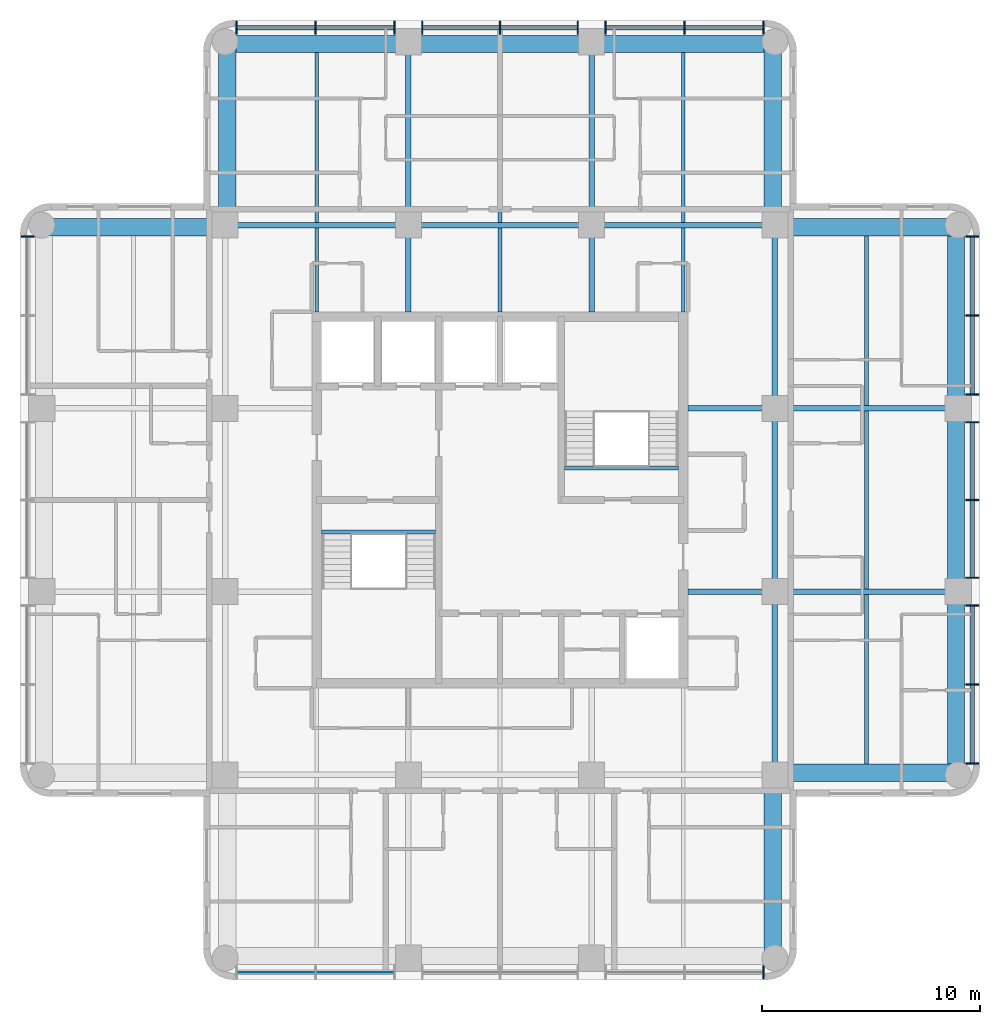
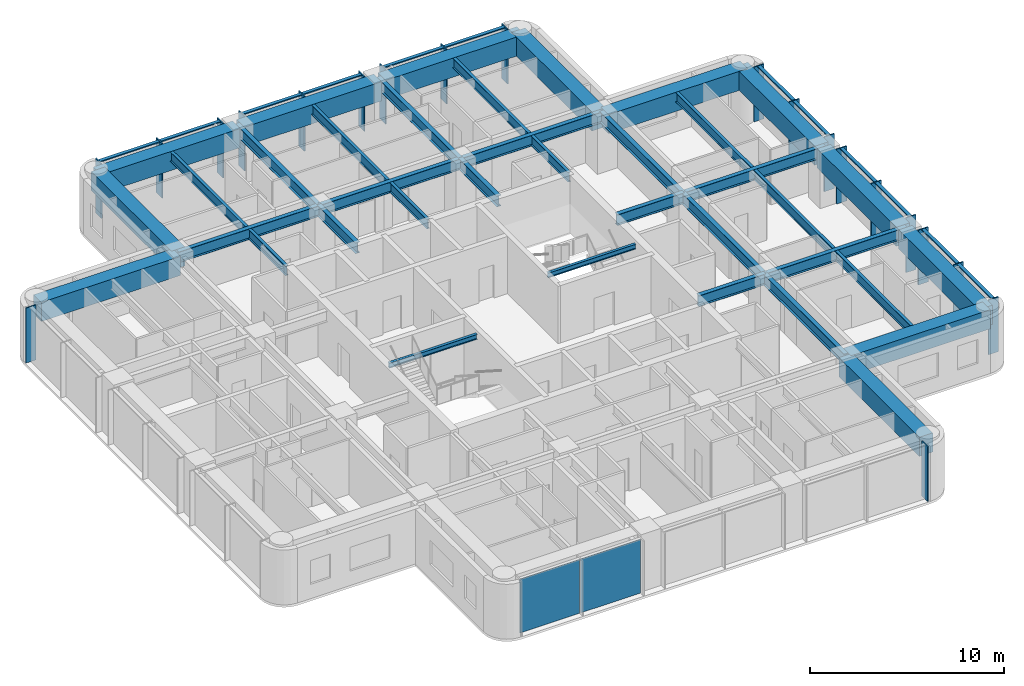
# One storey, part 2 of 10: 37 beams, 32 members, 2 plates, 4 elements without a shape of their own.
"""IFC4 building model written with IfcOpenShell, lengths in metres."""

import ifcopenshell
import ifcopenshell.guid

model = None  # the IFC model being written
_history = None  # IfcOwnerHistory: only IFC2X3 demands one
_inside = {}  # id of a spatial element -> (the spatial element, [elements in it])
_under = {}  # id of a project, library or spatial element -> (it, [spatial elements below it])
_declared = {}  # id of a project -> (the project, [libraries it declares])
_typed = {}  # id of a type object -> (the type object, [elements of that type])
_made_of = {}  # id of a material, layer set ... -> (it, [elements and type objects made of it])


def new_model(schema):
    """Start an empty IFC model of exactly this schema.

    Asked for "IFC4X3", IfcOpenShell would pick the latest addendum, in which some entities
    have other attributes; the version numbers below select the first issue.
    IFC2X3 requires an IfcOwnerHistory on every rooted entity: one is made here for all.
    """
    global model, _history
    if schema == "IFC4X3":
        model = ifcopenshell.file(schema_version=(4, 3, 0, 0))
    else:
        model = ifcopenshell.file(schema=schema)
    _inside.clear()
    _under.clear()
    _declared.clear()
    _typed.clear()
    _made_of.clear()
    _history = None
    if model.schema == "IFC2X3":
        org = make("IfcOrganization", Name="unknown")
        user = make(
            "IfcPersonAndOrganization",
            ThePerson=make("IfcPerson", FamilyName="unknown"),
            TheOrganization=org,
        )
        app = make(
            "IfcApplication",
            ApplicationDeveloper=org,
            Version="unknown",
            ApplicationFullName="unknown",
            ApplicationIdentifier="unknown",
        )
        _history = make(
            "IfcOwnerHistory",
            OwningUser=user,
            OwningApplication=app,
            ChangeAction="ADDED",
            CreationDate=0,
        )
    return model


def make(cls, **values):
    """One entity of the class cls with the attributes given. An attribute that is None is left unset."""
    return model.create_entity(
        cls, **{name: value for name, value in values.items() if value is not None}
    )


def rooted(cls, **values):
    """An entity with a GlobalId (a new one), such as an element, a storey or a relation."""
    return make(cls, GlobalId=ifcopenshell.guid.new(), OwnerHistory=_history, **values)


def si_unit(unit_type, name, prefix=None):
    """IfcSIUnit, for example si_unit("LENGTHUNIT", "METRE", prefix="MILLI")."""
    return make("IfcSIUnit", UnitType=unit_type, Prefix=prefix, Name=name)


def assignment(units):
    """IfcUnitAssignment: the units of a project."""
    return None if units is None else make("IfcUnitAssignment", Units=units)


def point(xyz):
    """IfcCartesianPoint."""
    return None if xyz is None else make("IfcCartesianPoint", Coordinates=xyz)


def direction(xyz):
    """IfcDirection."""
    return None if xyz is None else make("IfcDirection", DirectionRatios=xyz)


def frame(location, z_axis=None, x_axis=None):
    """IfcAxis2Placement3D, a coordinate frame: its origin and axes. An axis left out is left unset."""
    return make(
        "IfcAxis2Placement3D",
        Location=point(location),
        Axis=direction(z_axis),
        RefDirection=direction(x_axis),
    )


def frame_2d(location, x_axis=None):
    """IfcAxis2Placement2D, a coordinate frame in the plane: its origin and x axis."""
    return make(
        "IfcAxis2Placement2D", Location=point(location), RefDirection=direction(x_axis)
    )


def origin():
    """The frame at (0, 0, 0) with its axes left unset."""
    return frame((0.0, 0.0, 0.0))


def origin_2d():
    """The frame at (0, 0) in the plane with its x axis left unset."""
    return frame_2d((0.0, 0.0))


def place(relative_to, where):
    """IfcLocalPlacement: puts the frame where relative to a parent placement (None: the world)."""
    return make(
        "IfcLocalPlacement", PlacementRelTo=relative_to, RelativePlacement=where
    )


def context(
    kind, dimensions, precision=None, world=None, true_north=None, identifier=None
):
    """IfcGeometricRepresentationContext, for example the 3D "Model" context."""
    return make(
        "IfcGeometricRepresentationContext",
        ContextIdentifier=identifier,
        ContextType=kind,
        CoordinateSpaceDimension=dimensions,
        Precision=precision,
        WorldCoordinateSystem=world,
        TrueNorth=true_north,
    )


def subcontext(parent, identifier, kind, view, scale=None):
    """IfcGeometricRepresentationSubContext, for example "Body" below "Model"."""
    return make(
        "IfcGeometricRepresentationSubContext",
        ContextIdentifier=identifier,
        ContextType=kind,
        ParentContext=parent,
        TargetScale=scale,
        TargetView=view,
    )


def project(units=None, contexts=None):
    """IfcProject with its units and contexts."""
    return rooted(
        "IfcProject",
        Name="project",
        RepresentationContexts=contexts,
        UnitsInContext=assignment(units),
    )


def spatial(cls, under=None, at=None, **own):
    """A site, building, storey or space (cls), placed at a placement, below another one or the project."""
    s = rooted(cls, ObjectPlacement=at, **own)
    if under is not None:
        _under.setdefault(under.id(), (under, []))[1].append(s)
    return s


def profile(cls, at=None, kind="AREA", **sizes):
    """A parametric profile (cls). Its sizes go by their IFC names, for example OverallWidth=200.0."""
    return make(cls, ProfileType=kind, Position=at, **sizes)


def rectangle(**sizes):
    """IfcRectangleProfileDef."""
    return profile("IfcRectangleProfileDef", **sizes)


def i_section(**sizes):
    """IfcIShapeProfileDef."""
    return profile("IfcIShapeProfileDef", **sizes)


def extrude(swept, where, along, depth):
    """IfcExtrudedAreaSolid: the profile swept, set in the frame where, extruded along a direction by depth."""
    return make(
        "IfcExtrudedAreaSolid",
        SweptArea=swept,
        Position=where,
        ExtrudedDirection=direction(along),
        Depth=depth,
    )


def shape(context_of_items, identifier, shape_type, items):
    """IfcShapeRepresentation: the items that make up one representation, for example the "Body"."""
    return make(
        "IfcShapeRepresentation",
        ContextOfItems=context_of_items,
        RepresentationIdentifier=identifier,
        RepresentationType=shape_type,
        Items=items,
    )


def material(Name=None, Category=None):
    """IfcMaterial."""
    return make("IfcMaterial", Name=Name, Category=Category)


def layer(
    of_material, thickness, ventilated=None, Name=None, Category=None, Priority=None
):
    """IfcMaterialLayer: one layer of a wall or slab, of a material (None: an air gap)."""
    return make(
        "IfcMaterialLayer",
        Material=of_material,
        LayerThickness=thickness,
        IsVentilated=ventilated,
        Name=Name,
        Category=Category,
        Priority=Priority,
    )


def layer_set(layers, Name=None):
    """IfcMaterialLayerSet."""
    return make("IfcMaterialLayerSet", MaterialLayers=layers, LayerSetName=Name)


def material_profile(
    of_material, cross_section, Name=None, Category=None, Priority=None
):
    """IfcMaterialProfile: a cross section and its material."""
    return make(
        "IfcMaterialProfile",
        Name=Name,
        Material=of_material,
        Profile=cross_section,
        Priority=Priority,
        Category=Category,
    )


def profile_set(profiles, Name=None, composite=None):
    """IfcMaterialProfileSet."""
    return make(
        "IfcMaterialProfileSet",
        Name=Name,
        MaterialProfiles=profiles,
        CompositeProfile=composite,
    )


def made_of(thing, what):
    """Note that an element or type object is made of a material, layer set ...; save() writes the relation."""
    if what is not None:
        _made_of.setdefault(what.id(), (what, []))[1].append(thing)
    return thing


def type_object(cls, material=None, **own):
    """A type object (cls), such as IfcWallType, which elements share."""
    return made_of(rooted(cls, **own), material)


def element(
    cls,
    number,
    at=None,
    inside=None,
    cuts=None,
    type_object=None,
    material=None,
    context=None,
    identifier="Body",
    shape_type=None,
    held_by="IfcProductDefinitionShape",
    body=None,
    shapes=None,
    **own,
):
    """One element of the class cls, such as IfcWall. Its Tag is "e" and its number.

    at: its placement. inside: the storey or other place that contains it. cuts: it is an
    opening in that element (IfcRelVoidsElement). A single representation is given by context,
    identifier, shape_type and body (its items); several are given by shapes. held_by: the class
    of the entity that holds the representations. save() writes the other relations.
    """
    e = rooted(cls, Tag="e%d" % number, ObjectPlacement=at, **own)
    if body is not None:
        shapes = [shape(context, identifier, shape_type, body)]
    if shapes is not None:
        e.Representation = make(held_by, Representations=shapes)
    if inside is not None:
        _inside.setdefault(inside.id(), (inside, []))[1].append(e)
    if cuts is not None:
        rooted(
            "IfcRelVoidsElement", RelatingBuildingElement=cuts, RelatedOpeningElement=e
        )
    if type_object is not None:
        _typed.setdefault(type_object.id(), (type_object, []))[1].append(e)
    return made_of(e, material)


def aggregate(whole, parts):
    """IfcRelAggregates: a whole, such as a stair, and the parts it consists of."""
    return rooted("IfcRelAggregates", RelatingObject=whole, RelatedObjects=parts)


def save(model, path):
    """Write the relations noted so far, then the file.

    IfcRelAggregates (storeys below a building ...), IfcRelContainedInSpatialStructure (elements
    in a storey), IfcRelDefinesByType, IfcRelAssociatesMaterial and IfcRelDeclares: one each for
    every whole, place, type object, material and project.
    """
    for whole, parts in _under.values():
        aggregate(whole, parts)
    for where, things in _inside.values():
        rooted(
            "IfcRelContainedInSpatialStructure",
            RelatedElements=things,
            RelatingStructure=where,
        )
    for kind, things in _typed.values():
        rooted("IfcRelDefinesByType", RelatedObjects=things, RelatingType=kind)
    for what, things in _made_of.values():
        rooted("IfcRelAssociatesMaterial", RelatedObjects=things, RelatingMaterial=what)
    for by, libraries in _declared.values():
        rooted("IfcRelDeclares", RelatingContext=by, RelatedDefinitions=libraries)
    model.write(path)


model = new_model("IFC4")

# Units and contexts
model_context = context("Model", 3, precision=1e-05, world=origin(), true_north=direction((0.0, 1.0)))
body_context = subcontext(model_context, "Body", "Model", "MODEL_VIEW")
ifc_project = project(units=[si_unit("LENGTHUNIT", "METRE"), si_unit("AREAUNIT", "SQUARE_METRE"), si_unit("VOLUMEUNIT", "CUBIC_METRE"), si_unit("PLANEANGLEUNIT", "RADIAN"), si_unit("MASSUNIT", "GRAM", prefix="KILO")], contexts=[model_context])

# Site, building, storey
site_placement = place(None, origin())
site = spatial("IfcSite", under=ifc_project, at=site_placement, CompositionType="ELEMENT")
building_placement = place(site_placement, origin())
building = spatial("IfcBuilding", under=site, at=building_placement, Name="Torre Alcanfor", CompositionType="ELEMENT")
storey_placement = place(building_placement, frame((0.0, 0.0, 286.5)))
storey = spatial("IfcBuildingStorey", under=building, at=storey_placement, Name="L75", CompositionType="ELEMENT", Elevation=286.5)

# Curtain wall, member
ifc_material_1 = material(Name="Aluminium and glass", Category="aluminium")
curtain_wall_type = type_object("IfcCurtainWallType", Name="CW-A unitised apartment glazing with vertical FIN", PredefinedType="NOTDEFINED", material=ifc_material_1)
curtain_wall_1_placement = place(storey_placement, origin())
curtain_wall_1 = element("IfcCurtainWall", 1, at=curtain_wall_1_placement, inside=storey, type_object=curtain_wall_type, Name="Curtain wall CW-A L75 2", PredefinedType="NOTDEFINED")
ifc_material_2 = material(Name="Bronze anodised aluminium", Category="aluminium")
ifc_material_profile_1 = material_profile(ifc_material_2, rectangle(XDim=0.60009765625, YDim=0.06494140625, at=origin_2d()), Name="CW-A mullion 65x600")
ifc_profile_set_1 = profile_set([ifc_material_profile_1], Name="Bronze anodised aluminium")
member_type_1 = type_object("IfcMemberType", Name="CW-A mullion with vertical FIN 65x600", PredefinedType="MULLION", material=ifc_profile_set_1)
member_1_placement = place(storey_placement, frame((7.75, 41.47412109375, 0.0), z_axis=(0.0, 0.0, 1.0), x_axis=(1.0, 0.0, 0.0)))
member_1 = element("IfcMember", 2, at=member_1_placement, type_object=member_type_1, Name="CW-A mullion 1.1", PredefinedType="MULLION", context=body_context, shape_type="SweptSolid", body=[
    extrude(rectangle(XDim=0.60009765625, YDim=0.06494140625, at=origin_2d()), origin(), (0.0, 0.0, 1.0), 3.449951171875),
])
aggregate(curtain_wall_1, [member_1])

curtain_wall_2_placement = place(storey_placement, origin())
curtain_wall_2 = element("IfcCurtainWall", 3, at=curtain_wall_2_placement, inside=storey, type_object=curtain_wall_type, Name="Curtain wall CW-A L75 5", PredefinedType="NOTDEFINED")
member_2_placement = place(storey_placement, frame((41.47412109375, 7.75, 0.0), z_axis=(0.0, 0.0, 1.0), x_axis=(0.0, 1.0, 0.0)))
member_2 = element("IfcMember", 4, at=member_2_placement, type_object=member_type_1, Name="CW-A mullion 3.3", PredefinedType="MULLION", context=body_context, shape_type="SweptSolid", body=[
    extrude(rectangle(XDim=0.60009765625, YDim=0.06494140625, at=origin_2d()), origin(), (0.0, 0.0, 1.0), 3.449951171875),
])

# Curtain wall, members
curtain_wall_3_placement = place(storey_placement, origin())
curtain_wall_3 = element("IfcCurtainWall", 5, at=curtain_wall_3_placement, inside=storey, type_object=curtain_wall_type, Name="Curtain wall CW-A L75 8", PredefinedType="NOTDEFINED")
member_3_placement = place(storey_placement, frame((51.050048828125, 17.325927734375, 0.0), z_axis=(0.0, 0.0, 1.0), x_axis=(-1.0, 0.0, 0.0)))
member_3 = element("IfcMember", 6, at=member_3_placement, type_object=member_type_1, Name="CW-A mullion 1.1", PredefinedType="MULLION", context=body_context, shape_type="SweptSolid", body=[
    extrude(rectangle(XDim=0.60009765625, YDim=0.06494140625, at=origin_2d()), origin(), (0.0, 0.0, 1.0), 3.449951171875),
])
member_4_placement = place(storey_placement, frame((51.050048828125, 20.9443359375, 0.0), z_axis=(0.0, 0.0, 1.0), x_axis=(-1.0, 0.0, 0.0)))
member_4 = element("IfcMember", 7, at=member_4_placement, type_object=member_type_1, Name="CW-A mullion 1.2", PredefinedType="MULLION", context=body_context, shape_type="SweptSolid", body=[
    extrude(rectangle(XDim=0.60009765625, YDim=0.06494140625, at=origin_2d()), origin(), (0.0, 0.0, 1.0), 3.449951171875),
])
member_5_placement = place(storey_placement, frame((51.050048828125, 24.5625, 0.0), z_axis=(0.0, 0.0, 1.0), x_axis=(-1.0, 0.0, 0.0)))
member_5 = element("IfcMember", 8, at=member_5_placement, type_object=member_type_1, Name="CW-A mullion 1.3", PredefinedType="MULLION", context=body_context, shape_type="SweptSolid", body=[
    extrude(rectangle(XDim=0.60009765625, YDim=0.06494140625, at=origin_2d()), origin(), (0.0, 0.0, 1.0), 3.449951171875),
])
member_6_placement = place(storey_placement, frame((51.050048828125, 25.83740234375, 0.0), z_axis=(0.0, 0.0, 1.0), x_axis=(-1.0, 0.0, 0.0)))
member_6 = element("IfcMember", 9, at=member_6_placement, type_object=member_type_1, Name="CW-A mullion 2.1", PredefinedType="MULLION", context=body_context, shape_type="SweptSolid", body=[
    extrude(rectangle(XDim=0.60009765625, YDim=0.06494140625, at=origin_2d()), origin(), (0.0, 0.0, 1.0), 3.449951171875),
])
member_7_placement = place(storey_placement, frame((51.050048828125, 29.39990234375, 0.0), z_axis=(0.0, 0.0, 1.0), x_axis=(-1.0, 0.0, 0.0)))
member_7 = element("IfcMember", 10, at=member_7_placement, type_object=member_type_1, Name="CW-A mullion 2.2", PredefinedType="MULLION", context=body_context, shape_type="SweptSolid", body=[
    extrude(rectangle(XDim=0.60009765625, YDim=0.06494140625, at=origin_2d()), origin(), (0.0, 0.0, 1.0), 3.449951171875),
])
member_8_placement = place(storey_placement, frame((51.050048828125, 32.96240234375, 0.0), z_axis=(0.0, 0.0, 1.0), x_axis=(-1.0, 0.0, 0.0)))
member_8 = element("IfcMember", 11, at=member_8_placement, type_object=member_type_1, Name="CW-A mullion 2.3", PredefinedType="MULLION", context=body_context, shape_type="SweptSolid", body=[
    extrude(rectangle(XDim=0.60009765625, YDim=0.06494140625, at=origin_2d()), origin(), (0.0, 0.0, 1.0), 3.449951171875),
])
member_9_placement = place(storey_placement, frame((51.050048828125, 34.237548828125, 0.0), z_axis=(0.0, 0.0, 1.0), x_axis=(-1.0, 0.0, 0.0)))
member_9 = element("IfcMember", 12, at=member_9_placement, type_object=member_type_1, Name="CW-A mullion 3.1", PredefinedType="MULLION", context=body_context, shape_type="SweptSolid", body=[
    extrude(rectangle(XDim=0.60009765625, YDim=0.06494140625, at=origin_2d()), origin(), (0.0, 0.0, 1.0), 3.449951171875),
])
member_10_placement = place(storey_placement, frame((51.050048828125, 37.855712890625, 0.0), z_axis=(0.0, 0.0, 1.0), x_axis=(-1.0, 0.0, 0.0)))
member_10 = element("IfcMember", 13, at=member_10_placement, type_object=member_type_1, Name="CW-A mullion 3.2", PredefinedType="MULLION", context=body_context, shape_type="SweptSolid", body=[
    extrude(rectangle(XDim=0.60009765625, YDim=0.06494140625, at=origin_2d()), origin(), (0.0, 0.0, 1.0), 3.449951171875),
])
member_11_placement = place(storey_placement, frame((51.050048828125, 41.47412109375, 0.0), z_axis=(0.0, 0.0, 1.0), x_axis=(-1.0, 0.0, 0.0)))
member_11 = element("IfcMember", 14, at=member_11_placement, type_object=member_type_1, Name="CW-A mullion 3.3", PredefinedType="MULLION", context=body_context, shape_type="SweptSolid", body=[
    extrude(rectangle(XDim=0.60009765625, YDim=0.06494140625, at=origin_2d()), origin(), (0.0, 0.0, 1.0), 3.449951171875),
])

curtain_wall_4_placement = place(storey_placement, origin())
curtain_wall_4 = element("IfcCurtainWall", 15, at=curtain_wall_4_placement, inside=storey, type_object=curtain_wall_type, Name="Curtain wall CW-A L75 11", PredefinedType="NOTDEFINED")
member_12_placement = place(storey_placement, frame((41.47412109375, 51.050048828125, 0.0), z_axis=(0.0, 0.0, 1.0), x_axis=(0.0, -1.0, 0.0)))
member_12 = element("IfcMember", 16, at=member_12_placement, type_object=member_type_1, Name="CW-A mullion 1.1", PredefinedType="MULLION", context=body_context, shape_type="SweptSolid", body=[
    extrude(rectangle(XDim=0.60009765625, YDim=0.06494140625, at=origin_2d()), origin(), (0.0, 0.0, 1.0), 3.449951171875),
])
member_13_placement = place(storey_placement, frame((37.855712890625, 51.050048828125, 0.0), z_axis=(0.0, 0.0, 1.0), x_axis=(0.0, -1.0, 0.0)))
member_13 = element("IfcMember", 17, at=member_13_placement, type_object=member_type_1, Name="CW-A mullion 1.2", PredefinedType="MULLION", context=body_context, shape_type="SweptSolid", body=[
    extrude(rectangle(XDim=0.60009765625, YDim=0.06494140625, at=origin_2d()), origin(), (0.0, 0.0, 1.0), 3.449951171875),
])
member_14_placement = place(storey_placement, frame((34.237548828125, 51.050048828125, 0.0), z_axis=(0.0, 0.0, 1.0), x_axis=(0.0, -1.0, 0.0)))
member_14 = element("IfcMember", 18, at=member_14_placement, type_object=member_type_1, Name="CW-A mullion 1.3", PredefinedType="MULLION", context=body_context, shape_type="SweptSolid", body=[
    extrude(rectangle(XDim=0.60009765625, YDim=0.06494140625, at=origin_2d()), origin(), (0.0, 0.0, 1.0), 3.449951171875),
])
member_15_placement = place(storey_placement, frame((32.96240234375, 51.050048828125, 0.0), z_axis=(0.0, 0.0, 1.0), x_axis=(0.0, -1.0, 0.0)))
member_15 = element("IfcMember", 19, at=member_15_placement, type_object=member_type_1, Name="CW-A mullion 2.1", PredefinedType="MULLION", context=body_context, shape_type="SweptSolid", body=[
    extrude(rectangle(XDim=0.60009765625, YDim=0.06494140625, at=origin_2d()), origin(), (0.0, 0.0, 1.0), 3.449951171875),
])
member_16_placement = place(storey_placement, frame((29.39990234375, 51.050048828125, 0.0), z_axis=(0.0, 0.0, 1.0), x_axis=(0.0, -1.0, 0.0)))
member_16 = element("IfcMember", 20, at=member_16_placement, type_object=member_type_1, Name="CW-A mullion 2.2", PredefinedType="MULLION", context=body_context, shape_type="SweptSolid", body=[
    extrude(rectangle(XDim=0.60009765625, YDim=0.06494140625, at=origin_2d()), origin(), (0.0, 0.0, 1.0), 3.449951171875),
])
member_17_placement = place(storey_placement, frame((25.83740234375, 51.050048828125, 0.0), z_axis=(0.0, 0.0, 1.0), x_axis=(0.0, -1.0, 0.0)))
member_17 = element("IfcMember", 21, at=member_17_placement, type_object=member_type_1, Name="CW-A mullion 2.3", PredefinedType="MULLION", context=body_context, shape_type="SweptSolid", body=[
    extrude(rectangle(XDim=0.60009765625, YDim=0.06494140625, at=origin_2d()), origin(), (0.0, 0.0, 1.0), 3.449951171875),
])
member_18_placement = place(storey_placement, frame((24.5625, 51.050048828125, 0.0), z_axis=(0.0, 0.0, 1.0), x_axis=(0.0, -1.0, 0.0)))
member_18 = element("IfcMember", 22, at=member_18_placement, type_object=member_type_1, Name="CW-A mullion 3.1", PredefinedType="MULLION", context=body_context, shape_type="SweptSolid", body=[
    extrude(rectangle(XDim=0.60009765625, YDim=0.06494140625, at=origin_2d()), origin(), (0.0, 0.0, 1.0), 3.449951171875),
])
member_19_placement = place(storey_placement, frame((20.9443359375, 51.050048828125, 0.0), z_axis=(0.0, 0.0, 1.0), x_axis=(0.0, -1.0, 0.0)))
member_19 = element("IfcMember", 23, at=member_19_placement, type_object=member_type_1, Name="CW-A mullion 3.2", PredefinedType="MULLION", context=body_context, shape_type="SweptSolid", body=[
    extrude(rectangle(XDim=0.60009765625, YDim=0.06494140625, at=origin_2d()), origin(), (0.0, 0.0, 1.0), 3.449951171875),
])
member_20_placement = place(storey_placement, frame((17.325927734375, 51.050048828125, 0.0), z_axis=(0.0, 0.0, 1.0), x_axis=(0.0, -1.0, 0.0)))
member_20 = element("IfcMember", 24, at=member_20_placement, type_object=member_type_1, Name="CW-A mullion 3.3", PredefinedType="MULLION", context=body_context, shape_type="SweptSolid", body=[
    extrude(rectangle(XDim=0.60009765625, YDim=0.06494140625, at=origin_2d()), origin(), (0.0, 0.0, 1.0), 3.449951171875),
])

# Member
ifc_material_3 = material(Name="Extruded aluminium", Category="aluminium")
ifc_material_profile_2 = material_profile(ifc_material_3, rectangle(XDim=0.199951171875, YDim=0.06494140625, at=origin_2d()), Name="CW-A transom 200x65")
ifc_profile_set_2 = profile_set([ifc_material_profile_2], Name="Extruded aluminium")
member_type_2 = type_object("IfcMemberType", Name="CW-A transom 65x200", PredefinedType="USERDEFINED", material=ifc_profile_set_2)
member_21_placement = place(storey_placement, frame((51.050048828125, 17.3583984375, 3.41748046875), z_axis=(0.0, 1.0, 0.0), x_axis=(-1.0, 0.0, 0.0)))
member_21 = element("IfcMember", 25, at=member_21_placement, type_object=member_type_2, Name="CW-A transom 1.1.2", ObjectType="TRANSOM", PredefinedType="USERDEFINED", context=body_context, shape_type="SweptSolid", body=[
    extrude(rectangle(XDim=0.199951171875, YDim=0.06494140625, at=origin_2d()), origin(), (0.0, 0.0, 1.0), 3.553466796875),
])

member_22_placement = place(storey_placement, frame((51.050048828125, 20.976806640625, 3.41748046875), z_axis=(0.0, 1.0, 0.0), x_axis=(-1.0, 0.0, 0.0)))
member_22 = element("IfcMember", 26, at=member_22_placement, type_object=member_type_2, Name="CW-A transom 1.2.2", ObjectType="TRANSOM", PredefinedType="USERDEFINED", context=body_context, shape_type="SweptSolid", body=[
    extrude(rectangle(XDim=0.199951171875, YDim=0.06494140625, at=origin_2d()), origin(), (0.0, 0.0, 1.0), 3.55322265625),
])

member_23_placement = place(storey_placement, frame((51.050048828125, 25.8701171875, 3.41748046875), z_axis=(0.0, 1.0, 0.0), x_axis=(-1.0, 0.0, 0.0)))
member_23 = element("IfcMember", 27, at=member_23_placement, type_object=member_type_2, Name="CW-A transom 2.1.2", ObjectType="TRANSOM", PredefinedType="USERDEFINED", context=body_context, shape_type="SweptSolid", body=[
    extrude(rectangle(XDim=0.199951171875, YDim=0.06494140625, at=origin_2d()), origin(), (0.0, 0.0, 1.0), 3.497314453125),
])

member_24_placement = place(storey_placement, frame((51.050048828125, 29.4326171875, 3.41748046875), z_axis=(0.0, 1.0, 0.0), x_axis=(-1.0, 0.0, 0.0)))
member_24 = element("IfcMember", 28, at=member_24_placement, type_object=member_type_2, Name="CW-A transom 2.2.2", ObjectType="TRANSOM", PredefinedType="USERDEFINED", context=body_context, shape_type="SweptSolid", body=[
    extrude(rectangle(XDim=0.199951171875, YDim=0.06494140625, at=origin_2d()), origin(), (0.0, 0.0, 1.0), 3.497314453125),
])

member_25_placement = place(storey_placement, frame((51.050048828125, 34.27001953125, 3.41748046875), z_axis=(0.0, 1.0, 0.0), x_axis=(-1.0, 0.0, 0.0)))
member_25 = element("IfcMember", 29, at=member_25_placement, type_object=member_type_2, Name="CW-A transom 3.1.2", ObjectType="TRANSOM", PredefinedType="USERDEFINED", context=body_context, shape_type="SweptSolid", body=[
    extrude(rectangle(XDim=0.199951171875, YDim=0.06494140625, at=origin_2d()), origin(), (0.0, 0.0, 1.0), 3.55322265625),
])

member_26_placement = place(storey_placement, frame((51.050048828125, 37.88818359375, 3.41748046875), z_axis=(0.0, 1.0, 0.0), x_axis=(-1.0, 0.0, 0.0)))
member_26 = element("IfcMember", 30, at=member_26_placement, type_object=member_type_2, Name="CW-A transom 3.2.2", ObjectType="TRANSOM", PredefinedType="USERDEFINED", context=body_context, shape_type="SweptSolid", body=[
    extrude(rectangle(XDim=0.199951171875, YDim=0.06494140625, at=origin_2d()), origin(), (0.0, 0.0, 1.0), 3.55322265625),
])

aggregate(curtain_wall_3, [member_3, member_4, member_5, member_21, member_22, member_6, member_7, member_8, member_23, member_24, member_9, member_10, member_11, member_25, member_26])

member_27_placement = place(storey_placement, frame((41.44140625, 51.050048828125, 3.41748046875), z_axis=(-1.0, 0.0, 0.0), x_axis=(0.0, -1.0, 0.0)))
member_27 = element("IfcMember", 31, at=member_27_placement, type_object=member_type_2, Name="CW-A transom 1.1.2", ObjectType="TRANSOM", PredefinedType="USERDEFINED", context=body_context, shape_type="SweptSolid", body=[
    extrude(rectangle(XDim=0.199951171875, YDim=0.06494140625, at=origin_2d()), origin(), (0.0, 0.0, 1.0), 3.55322265625),
])

member_28_placement = place(storey_placement, frame((37.8232421875, 51.050048828125, 3.41748046875), z_axis=(-1.0, 0.0, 0.0), x_axis=(0.0, -1.0, 0.0)))
member_28 = element("IfcMember", 32, at=member_28_placement, type_object=member_type_2, Name="CW-A transom 1.2.2", ObjectType="TRANSOM", PredefinedType="USERDEFINED", context=body_context, shape_type="SweptSolid", body=[
    extrude(rectangle(XDim=0.199951171875, YDim=0.06494140625, at=origin_2d()), origin(), (0.0, 0.0, 1.0), 3.55322265625),
])

member_29_placement = place(storey_placement, frame((32.929931640625, 51.050048828125, 3.41748046875), z_axis=(-1.0, 0.0, 0.0), x_axis=(0.0, -1.0, 0.0)))
member_29 = element("IfcMember", 33, at=member_29_placement, type_object=member_type_2, Name="CW-A transom 2.1.2", ObjectType="TRANSOM", PredefinedType="USERDEFINED", context=body_context, shape_type="SweptSolid", body=[
    extrude(rectangle(XDim=0.199951171875, YDim=0.06494140625, at=origin_2d()), origin(), (0.0, 0.0, 1.0), 3.497314453125),
])

member_30_placement = place(storey_placement, frame((29.367431640625, 51.050048828125, 3.41748046875), z_axis=(-1.0, 0.0, 0.0), x_axis=(0.0, -1.0, 0.0)))
member_30 = element("IfcMember", 34, at=member_30_placement, type_object=member_type_2, Name="CW-A transom 2.2.2", ObjectType="TRANSOM", PredefinedType="USERDEFINED", context=body_context, shape_type="SweptSolid", body=[
    extrude(rectangle(XDim=0.199951171875, YDim=0.06494140625, at=origin_2d()), origin(), (0.0, 0.0, 1.0), 3.497314453125),
])

member_31_placement = place(storey_placement, frame((24.530029296875, 51.050048828125, 3.41748046875), z_axis=(-1.0, 0.0, 0.0), x_axis=(0.0, -1.0, 0.0)))
member_31 = element("IfcMember", 35, at=member_31_placement, type_object=member_type_2, Name="CW-A transom 3.1.2", ObjectType="TRANSOM", PredefinedType="USERDEFINED", context=body_context, shape_type="SweptSolid", body=[
    extrude(rectangle(XDim=0.199951171875, YDim=0.06494140625, at=origin_2d()), origin(), (0.0, 0.0, 1.0), 3.55322265625),
])

member_32_placement = place(storey_placement, frame((20.911865234375, 51.050048828125, 3.41748046875), z_axis=(-1.0, 0.0, 0.0), x_axis=(0.0, -1.0, 0.0)))
member_32 = element("IfcMember", 36, at=member_32_placement, type_object=member_type_2, Name="CW-A transom 3.2.2", ObjectType="TRANSOM", PredefinedType="USERDEFINED", context=body_context, shape_type="SweptSolid", body=[
    extrude(rectangle(XDim=0.199951171875, YDim=0.06494140625, at=origin_2d()), origin(), (0.0, 0.0, 1.0), 3.553466796875),
])

aggregate(curtain_wall_4, [member_12, member_13, member_14, member_27, member_28, member_15, member_16, member_17, member_29, member_30, member_18, member_19, member_20, member_31, member_32])

# Beams
ifc_material_4 = material(Name="Steel ASTM A992 Grade 50", Category="steel")
ifc_material_profile_3 = material_profile(ifc_material_4, i_section(OverallWidth=0.25390625, OverallDepth=0.683349609375, WebThickness=0.012451171875, FlangeThickness=0.01904296875, at=origin_2d()), Name="W27x94")
ifc_profile_set_3 = profile_set([ifc_material_profile_3], Name="Steel ASTM A992 Grade 50")
beam_type_1 = type_object("IfcBeamType", Name="Girder W27x94", PredefinedType="BEAM", material=ifc_profile_set_3)
for number, where, z_axis, x_axis, name in (
    (37, (42.0, 25.199951171875, 3.1083984375), (1.0, 0.0, 0.0), (0.0, 1.0, 0.0), "Beam 6F-7F under L76"),
    (38, (42.0, 33.60009765625, 3.1083984375), (1.0, 0.0, 0.0), (0.0, 1.0, 0.0), "Beam 6G-7G under L76"),
    (39, (16.800048828125, 42.0, 3.1083984375), (1.0, 0.0, 0.0), (0.0, 1.0, 0.0), "Beam 3H-4H under L76"),
):
    element("IfcBeam", number, at=place(storey_placement, frame(where, z_axis=z_axis, x_axis=x_axis)), inside=storey, type_object=beam_type_1, Name=name, PredefinedType="BEAM", context=body_context, shape_type="SweptSolid", body=[
        extrude(i_section(OverallWidth=0.25390625, OverallDepth=0.683349609375, WebThickness=0.012451171875, FlangeThickness=0.01904296875, at=origin_2d()), origin(), (0.0, 0.0, 1.0), 8.39990234375),
    ])
beam_1_placement = place(storey_placement, frame((25.199951171875, 42.0, 3.1083984375), z_axis=(1.0, 0.0, 0.0), x_axis=(0.0, 1.0, 0.0)))
element("IfcBeam", 40, at=beam_1_placement, inside=storey, type_object=beam_type_1, Name="Beam 4H-5H under L76", PredefinedType="BEAM", context=body_context, shape_type="SweptSolid", body=[
    extrude(i_section(OverallWidth=0.25390625, OverallDepth=0.683349609375, WebThickness=0.012451171875, FlangeThickness=0.01904296875, at=origin_2d()), origin(), (0.0, 0.0, 1.0), 8.400146484375),
])
for number, where, z_axis, x_axis, name in (
    (41, (33.60009765625, 42.0, 3.1083984375), (1.0, 0.0, 0.0), (0.0, 1.0, 0.0), "Beam 5H-6H under L76"),
    (42, (25.199951171875, 42.0, 3.1083984375), (0.0, 1.0, 0.0), (-1.0, 0.0, 0.0), "Beam 4H-4J under L76"),
    (43, (33.60009765625, 42.0, 3.1083984375), (0.0, 1.0, 0.0), (-1.0, 0.0, 0.0), "Beam 5H-5J under L76"),
    (44, (42.0, 16.800048828125, 3.1083984375), (0.0, 1.0, 0.0), (-1.0, 0.0, 0.0), "Beam 6E-6F under L76"),
):
    element("IfcBeam", number, at=place(storey_placement, frame(where, z_axis=z_axis, x_axis=x_axis)), inside=storey, type_object=beam_type_1, Name=name, PredefinedType="BEAM", context=body_context, shape_type="SweptSolid", body=[
        extrude(i_section(OverallWidth=0.25390625, OverallDepth=0.683349609375, WebThickness=0.012451171875, FlangeThickness=0.01904296875, at=origin_2d()), origin(), (0.0, 0.0, 1.0), 8.39990234375),
    ])
beam_2_placement = place(storey_placement, frame((42.0, 25.199951171875, 3.1083984375), z_axis=(0.0, 1.0, 0.0), x_axis=(-1.0, 0.0, 0.0)))
element("IfcBeam", 45, at=beam_2_placement, inside=storey, type_object=beam_type_1, Name="Beam 6F-6G under L76", PredefinedType="BEAM", context=body_context, shape_type="SweptSolid", body=[
    extrude(i_section(OverallWidth=0.25390625, OverallDepth=0.683349609375, WebThickness=0.012451171875, FlangeThickness=0.01904296875, at=origin_2d()), origin(), (0.0, 0.0, 1.0), 8.400146484375),
])
beam_3_placement = place(storey_placement, frame((42.0, 33.60009765625, 3.1083984375), z_axis=(0.0, 1.0, 0.0), x_axis=(-1.0, 0.0, 0.0)))
element("IfcBeam", 46, at=beam_3_placement, inside=storey, type_object=beam_type_1, Name="Beam 6G-6H under L76", PredefinedType="BEAM", context=body_context, shape_type="SweptSolid", body=[
    extrude(i_section(OverallWidth=0.25390625, OverallDepth=0.683349609375, WebThickness=0.012451171875, FlangeThickness=0.01904296875, at=origin_2d()), origin(), (0.0, 0.0, 1.0), 8.39990234375),
])
ifc_material_5 = material(Name="Steel ASTM A992 Grade 50", Category="steel")
ifc_material_profile_4 = material_profile(ifc_material_5, i_section(OverallWidth=0.25390625, OverallDepth=0.683349609375, WebThickness=0.012451171875, FlangeThickness=0.01904296875, at=origin_2d()), Name="W27x94")
ifc_profile_set_4 = profile_set([ifc_material_profile_4], Name="Steel ASTM A992 Grade 50")
beam_type_2 = type_object("IfcBeamType", Name="Girder, part bay W27x94", PredefinedType="BEAM", material=ifc_profile_set_4)
for number, where, z_axis, x_axis, name in (
    (47, (25.199951171875, 42.0, 3.1083984375), (0.0, -1.0, 0.0), (1.0, 0.0, 0.0), "Beam 4H-438_025 under L76"),
    (48, (33.60009765625, 42.0, 3.1083984375), (0.0, -1.0, 0.0), (1.0, 0.0, 0.0), "Beam 5H-538_025 under L76"),
    (49, (42.0, 25.199951171875, 3.1083984375), (-1.0, 0.0, 0.0), (0.0, -1.0, 0.0), "Beam 6F-38_025F under L76"),
    (50, (42.0, 33.60009765625, 3.1083984375), (-1.0, 0.0, 0.0), (0.0, -1.0, 0.0), "Beam 6G-38_025G under L76"),
):
    element("IfcBeam", number, at=place(storey_placement, frame(where, z_axis=z_axis, x_axis=x_axis)), inside=storey, type_object=beam_type_2, Name=name, PredefinedType="BEAM", context=body_context, shape_type="SweptSolid", body=[
        extrude(i_section(OverallWidth=0.25390625, OverallDepth=0.683349609375, WebThickness=0.012451171875, FlangeThickness=0.01904296875, at=origin_2d()), origin(), (0.0, 0.0, 1.0), 3.97509765625),
    ])
ifc_material_6 = material(Name="Concrete f'c 70 MPa", Category="concrete")
ifc_material_profile_5 = material_profile(ifc_material_6, rectangle(XDim=0.800048828125, YDim=1.199951171875, at=origin_2d()), Name="800x1200")
ifc_profile_set_5 = profile_set([ifc_material_profile_5], Name="Concrete f'c 70 MPa")
beam_type_3 = type_object("IfcBeamType", Name="RC perimeter beam 800x1200", PredefinedType="BEAM", material=ifc_profile_set_5)
beam_4_placement = place(storey_placement, frame((42.126953125, 16.89990234375, 2.85009765625), z_axis=(1.0, 0.0, 0.0), x_axis=(0.0, 1.0, 0.0)))
element("IfcBeam", 51, at=beam_4_placement, inside=storey, type_object=beam_type_3, Name="Beam 6E-7E under L76", PredefinedType="BEAM", context=body_context, shape_type="SweptSolid", body=[
    extrude(rectangle(XDim=0.800048828125, YDim=1.199951171875, at=origin_2d()), origin(), (0.0, 0.0, 1.0), 8.27294921875),
])
beam_5_placement = place(storey_placement, frame((8.39990234375, 41.89990234375, 2.85009765625), z_axis=(1.0, 0.0, 0.0), x_axis=(0.0, 1.0, 0.0)))
element("IfcBeam", 52, at=beam_5_placement, inside=storey, type_object=beam_type_3, Name="Beam 2H-3H under L76", PredefinedType="BEAM", context=body_context, shape_type="SweptSolid", body=[
    extrude(rectangle(XDim=0.800048828125, YDim=1.199951171875, at=origin_2d()), origin(), (0.0, 0.0, 1.0), 8.273193359375),
])
for number, where, z_axis, x_axis, name in (
    (53, (42.126953125, 41.89990234375, 2.85009765625), (1.0, 0.0, 0.0), (0.0, 1.0, 0.0), "Beam 6H-7H under L76"),
    (54, (16.800048828125, 50.300048828125, 2.85009765625), (1.0, 0.0, 0.0), (0.0, 1.0, 0.0), "Beam 3J-4J under L76"),
):
    element("IfcBeam", number, at=place(storey_placement, frame(where, z_axis=z_axis, x_axis=x_axis)), inside=storey, type_object=beam_type_3, Name=name, PredefinedType="BEAM", context=body_context, shape_type="SweptSolid", body=[
        extrude(rectangle(XDim=0.800048828125, YDim=1.199951171875, at=origin_2d()), origin(), (0.0, 0.0, 1.0), 8.27294921875),
    ])
beam_6_placement = place(storey_placement, frame((25.326904296875, 50.300048828125, 2.85009765625), z_axis=(1.0, 0.0, 0.0), x_axis=(0.0, 1.0, 0.0)))
element("IfcBeam", 55, at=beam_6_placement, inside=storey, type_object=beam_type_3, Name="Beam 4J-5J under L76", PredefinedType="BEAM", context=body_context, shape_type="SweptSolid", body=[
    extrude(rectangle(XDim=0.800048828125, YDim=1.199951171875, at=origin_2d()), origin(), (0.0, 0.0, 1.0), 8.14599609375),
])
for number, where, z_axis, x_axis, name in (
    (56, (33.72705078125, 50.300048828125, 2.85009765625), (1.0, 0.0, 0.0), (0.0, 1.0, 0.0), "Beam 5J-6J under L76"),
    (57, (16.89990234375, 42.126953125, 2.85009765625), (0.0, 1.0, 0.0), (-1.0, 0.0, 0.0), "Beam 3H-3J under L76"),
):
    element("IfcBeam", number, at=place(storey_placement, frame(where, z_axis=z_axis, x_axis=x_axis)), inside=storey, type_object=beam_type_3, Name=name, PredefinedType="BEAM", context=body_context, shape_type="SweptSolid", body=[
        extrude(rectangle(XDim=0.800048828125, YDim=1.199951171875, at=origin_2d()), origin(), (0.0, 0.0, 1.0), 8.27294921875),
    ])
beam_7_placement = place(storey_placement, frame((41.89990234375, 8.39990234375, 2.85009765625), z_axis=(0.0, 1.0, 0.0), x_axis=(-1.0, 0.0, 0.0)))
element("IfcBeam", 58, at=beam_7_placement, inside=storey, type_object=beam_type_3, Name="Beam 6D-6E under L76", PredefinedType="BEAM", context=body_context, shape_type="SweptSolid", body=[
    extrude(rectangle(XDim=0.800048828125, YDim=1.199951171875, at=origin_2d()), origin(), (0.0, 0.0, 1.0), 8.273193359375),
])
for number, where, z_axis, x_axis, name in (
    (59, (41.89990234375, 42.126953125, 2.85009765625), (0.0, 1.0, 0.0), (-1.0, 0.0, 0.0), "Beam 6H-6J under L76"),
    (60, (50.300048828125, 16.800048828125, 2.85009765625), (0.0, 1.0, 0.0), (-1.0, 0.0, 0.0), "Beam 7E-7F under L76"),
):
    element("IfcBeam", number, at=place(storey_placement, frame(where, z_axis=z_axis, x_axis=x_axis)), inside=storey, type_object=beam_type_3, Name=name, PredefinedType="BEAM", context=body_context, shape_type="SweptSolid", body=[
        extrude(rectangle(XDim=0.800048828125, YDim=1.199951171875, at=origin_2d()), origin(), (0.0, 0.0, 1.0), 8.27294921875),
    ])
beam_8_placement = place(storey_placement, frame((50.300048828125, 25.326904296875, 2.85009765625), z_axis=(0.0, 1.0, 0.0), x_axis=(-1.0, 0.0, 0.0)))
element("IfcBeam", 61, at=beam_8_placement, inside=storey, type_object=beam_type_3, Name="Beam 7F-7G under L76", PredefinedType="BEAM", context=body_context, shape_type="SweptSolid", body=[
    extrude(rectangle(XDim=0.800048828125, YDim=1.199951171875, at=origin_2d()), origin(), (0.0, 0.0, 1.0), 8.14599609375),
])
beam_9_placement = place(storey_placement, frame((50.300048828125, 33.72705078125, 2.85009765625), z_axis=(0.0, 1.0, 0.0), x_axis=(-1.0, 0.0, 0.0)))
element("IfcBeam", 62, at=beam_9_placement, inside=storey, type_object=beam_type_3, Name="Beam 7G-7H under L76", PredefinedType="BEAM", context=body_context, shape_type="SweptSolid", body=[
    extrude(rectangle(XDim=0.800048828125, YDim=1.199951171875, at=origin_2d()), origin(), (0.0, 0.0, 1.0), 8.27294921875),
])
ifc_material_7 = material(Name="Steel ASTM A992 Grade 50", Category="steel")
ifc_material_profile_6 = material_profile(ifc_material_7, i_section(OverallWidth=0.1787109375, OverallDepth=0.60205078125, WebThickness=0.010986328125, FlangeThickness=0.014892578125, at=origin_2d()), Name="W24x62")
ifc_profile_set_6 = profile_set([ifc_material_profile_6], Name="Steel ASTM A992 Grade 50")
beam_type_4 = type_object("IfcBeamType", Name="Secondary beam W24x62", PredefinedType="BEAM", material=ifc_profile_set_6)
for number, where, z_axis, x_axis, name in (
    (63, (21.0, 42.126953125, 3.14892578125), (0.0, 1.0, 0.0), (-1.0, 0.0, 0.0), "Beam 21H-21J under L76"),
    (64, (29.39990234375, 42.126953125, 3.14892578125), (0.0, 1.0, 0.0), (-1.0, 0.0, 0.0), "Beam 29_4H-29_4J under L76"),
    (65, (37.800048828125, 42.126953125, 3.14892578125), (0.0, 1.0, 0.0), (-1.0, 0.0, 0.0), "Beam 37_8H-37_8J under L76"),
    (66, (46.199951171875, 17.300048828125, 3.14892578125), (0.0, 1.0, 0.0), (-1.0, 0.0, 0.0), "Beam 46_2E-46_2F under L76"),
):
    element("IfcBeam", number, at=place(storey_placement, frame(where, z_axis=z_axis, x_axis=x_axis)), inside=storey, type_object=beam_type_4, Name=name, PredefinedType="BEAM", context=body_context, shape_type="SweptSolid", body=[
        extrude(i_section(OverallWidth=0.1787109375, OverallDepth=0.60205078125, WebThickness=0.010986328125, FlangeThickness=0.014892578125, at=origin_2d()), origin(), (0.0, 0.0, 1.0), 7.77294921875),
    ])
beam_10_placement = place(storey_placement, frame((46.199951171875, 25.326904296875, 3.14892578125), z_axis=(0.0, 1.0, 0.0), x_axis=(-1.0, 0.0, 0.0)))
element("IfcBeam", 67, at=beam_10_placement, inside=storey, type_object=beam_type_4, Name="Beam 46_2F-46_2G under L76", PredefinedType="BEAM", context=body_context, shape_type="SweptSolid", body=[
    extrude(i_section(OverallWidth=0.1787109375, OverallDepth=0.60205078125, WebThickness=0.010986328125, FlangeThickness=0.014892578125, at=origin_2d()), origin(), (0.0, 0.0, 1.0), 8.14599609375),
])
beam_11_placement = place(storey_placement, frame((46.199951171875, 33.72705078125, 3.14892578125), z_axis=(0.0, 1.0, 0.0), x_axis=(-1.0, 0.0, 0.0)))
element("IfcBeam", 68, at=beam_11_placement, inside=storey, type_object=beam_type_4, Name="Beam 46_2G-46_2H under L76", PredefinedType="BEAM", context=body_context, shape_type="SweptSolid", body=[
    extrude(i_section(OverallWidth=0.1787109375, OverallDepth=0.60205078125, WebThickness=0.010986328125, FlangeThickness=0.014892578125, at=origin_2d()), origin(), (0.0, 0.0, 1.0), 7.77294921875),
])
ifc_material_8 = material(Name="Steel ASTM A992 Grade 50", Category="steel")
ifc_material_profile_7 = material_profile(ifc_material_8, i_section(OverallWidth=0.1787109375, OverallDepth=0.60205078125, WebThickness=0.010986328125, FlangeThickness=0.014892578125, at=origin_2d()), Name="W24x62")
ifc_profile_set_7 = profile_set([ifc_material_profile_7], Name="Steel ASTM A992 Grade 50")
beam_type_5 = type_object("IfcBeamType", Name="Secondary beam, part bay W24x62", PredefinedType="BEAM", material=ifc_profile_set_7)
for number, where, z_axis, x_axis, name in (
    (69, (21.0, 38.02490234375, 3.14892578125), (0.0, 1.0, 0.0), (-1.0, 0.0, 0.0), "Beam 2138_025-21H under L76"),
    (70, (29.39990234375, 38.02490234375, 3.14892578125), (0.0, 1.0, 0.0), (-1.0, 0.0, 0.0), "Beam 29_438_025-29_4H under L76"),
    (71, (37.800048828125, 38.02490234375, 3.14892578125), (0.0, 1.0, 0.0), (-1.0, 0.0, 0.0), "Beam 37_838_025-37_8H under L76"),
):
    element("IfcBeam", number, at=place(storey_placement, frame(where, z_axis=z_axis, x_axis=x_axis)), inside=storey, type_object=beam_type_5, Name=name, PredefinedType="BEAM", context=body_context, shape_type="SweptSolid", body=[
        extrude(i_section(OverallWidth=0.1787109375, OverallDepth=0.60205078125, WebThickness=0.010986328125, FlangeThickness=0.014892578125, at=origin_2d()), origin(), (0.0, 0.0, 1.0), 3.84814453125),
    ])
ifc_material_9 = material(Name="Steel ASTM A992 Grade 50", Category="steel")
ifc_material_profile_8 = material_profile(ifc_material_9, i_section(OverallWidth=0.164794921875, OverallDepth=0.309814453125, WebThickness=0.005859375, FlangeThickness=0.009765625, at=origin_2d()), Name="W12x26")
ifc_profile_set_8 = profile_set([ifc_material_profile_8], Name="Steel ASTM A992 Grade 50")
beam_type_6 = type_object("IfcBeamType", Name="Stair landing beam W12x26", PredefinedType="BEAM", material=ifc_profile_set_8)
for number, where, z_axis, x_axis, name in (
    (72, (21.22509765625, 27.9375, 3.2451171875), (1.0, 0.0, 0.0), (0.0, 1.0, 0.0), "Landing trimmer S1 L76"),
    (73, (32.35009765625, 30.862548828125, 3.2451171875), (1.0, 0.0, 0.0), (0.0, 1.0, 0.0), "Landing trimmer S2 L76"),
):
    element("IfcBeam", number, at=place(storey_placement, frame(where, z_axis=z_axis, x_axis=x_axis)), inside=storey, type_object=beam_type_6, Name=name, PredefinedType="BEAM", context=body_context, shape_type="SweptSolid", body=[
        extrude(i_section(OverallWidth=0.164794921875, OverallDepth=0.309814453125, WebThickness=0.005859375, FlangeThickness=0.009765625, at=origin_2d()), origin(), (0.0, 0.0, 1.0), 5.224853515625),
    ])

# Plate
ifc_material_10 = material(Name="Glass", Category="glass")
ifc_layer = layer(ifc_material_10, 0.028076171875)
ifc_layer_set = layer_set([ifc_layer], Name="CW-A clear double glazed unit")
plate_type = type_object("IfcPlateType", Name="CW-A clear double glazed unit", PredefinedType="CURTAIN_PANEL", material=ifc_layer_set)
plate_1_placement = place(storey_placement, frame((19.135009765625, 7.75, 0.0), z_axis=(0.0, 0.0, 1.0), x_axis=(1.0, 0.0, 0.0)))
plate_1 = element("IfcPlate", 74, at=plate_1_placement, type_object=plate_type, Name="CW-A panel 1.1.1", PredefinedType="CURTAIN_PANEL", context=body_context, shape_type="SweptSolid", body=[
    extrude(rectangle(XDim=3.55322265625, YDim=0.028076171875, at=origin_2d()), origin(), (0.0, 0.0, 1.0), 3.385009765625),
])

plate_2_placement = place(storey_placement, frame((22.75341796875, 7.75, 0.0), z_axis=(0.0, 0.0, 1.0), x_axis=(1.0, 0.0, 0.0)))
plate_2 = element("IfcPlate", 75, at=plate_2_placement, type_object=plate_type, Name="CW-A panel 1.2.1", PredefinedType="CURTAIN_PANEL", context=body_context, shape_type="SweptSolid", body=[
    extrude(rectangle(XDim=3.55322265625, YDim=0.028076171875, at=origin_2d()), origin(), (0.0, 0.0, 1.0), 3.385009765625),
])

aggregate(curtain_wall_2, [plate_1, plate_2, member_2])

save(model, "model.ifc")
